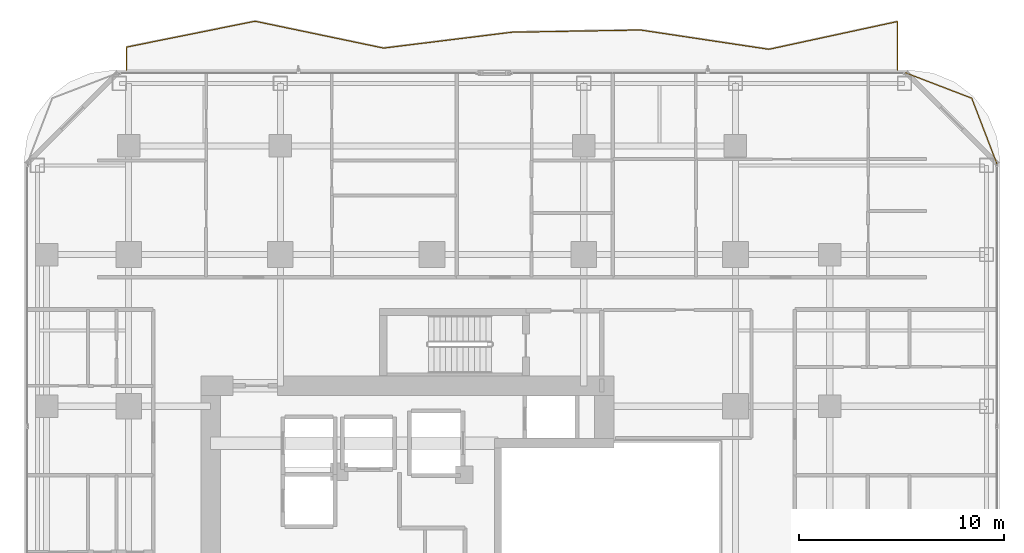
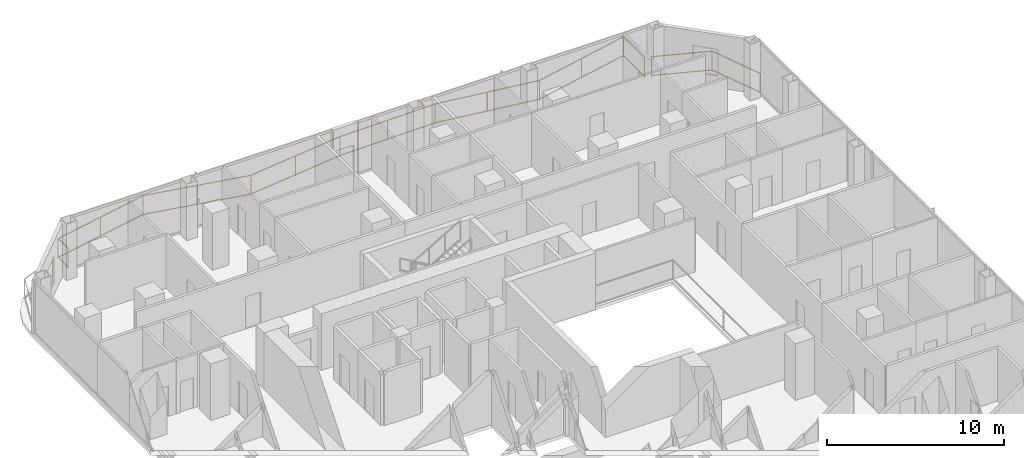
# One storey, part 28 of 29: 2 railings.
"""IFC4 building model written with IfcOpenShell, lengths in metres."""

import ifcopenshell
import ifcopenshell.guid

model = None  # the IFC model being written
_history = None  # IfcOwnerHistory: only IFC2X3 demands one
_inside = {}  # id of a spatial element -> (the spatial element, [elements in it])
_under = {}  # id of a project, library or spatial element -> (it, [spatial elements below it])
_declared = {}  # id of a project -> (the project, [libraries it declares])
_typed = {}  # id of a type object -> (the type object, [elements of that type])
_made_of = {}  # id of a material, layer set ... -> (it, [elements and type objects made of it])


def new_model(schema):
    """Start an empty IFC model of exactly this schema.

    Asked for "IFC4X3", IfcOpenShell would pick the latest addendum, in which some entities
    have other attributes; the version numbers below select the first issue.
    IFC2X3 requires an IfcOwnerHistory on every rooted entity: one is made here for all.
    """
    global model, _history
    if schema == "IFC4X3":
        model = ifcopenshell.file(schema_version=(4, 3, 0, 0))
    else:
        model = ifcopenshell.file(schema=schema)
    _inside.clear()
    _under.clear()
    _declared.clear()
    _typed.clear()
    _made_of.clear()
    _history = None
    if model.schema == "IFC2X3":
        org = make("IfcOrganization", Name="unknown")
        user = make(
            "IfcPersonAndOrganization",
            ThePerson=make("IfcPerson", FamilyName="unknown"),
            TheOrganization=org,
        )
        app = make(
            "IfcApplication",
            ApplicationDeveloper=org,
            Version="unknown",
            ApplicationFullName="unknown",
            ApplicationIdentifier="unknown",
        )
        _history = make(
            "IfcOwnerHistory",
            OwningUser=user,
            OwningApplication=app,
            ChangeAction="ADDED",
            CreationDate=0,
        )
    return model


def make(cls, **values):
    """One entity of the class cls with the attributes given. An attribute that is None is left unset."""
    return model.create_entity(
        cls, **{name: value for name, value in values.items() if value is not None}
    )


def rooted(cls, **values):
    """An entity with a GlobalId (a new one), such as an element, a storey or a relation."""
    return make(cls, GlobalId=ifcopenshell.guid.new(), OwnerHistory=_history, **values)


def si_unit(unit_type, name, prefix=None):
    """IfcSIUnit, for example si_unit("LENGTHUNIT", "METRE", prefix="MILLI")."""
    return make("IfcSIUnit", UnitType=unit_type, Prefix=prefix, Name=name)


def assignment(units):
    """IfcUnitAssignment: the units of a project."""
    return None if units is None else make("IfcUnitAssignment", Units=units)


def point(xyz):
    """IfcCartesianPoint."""
    return None if xyz is None else make("IfcCartesianPoint", Coordinates=xyz)


def direction(xyz):
    """IfcDirection."""
    return None if xyz is None else make("IfcDirection", DirectionRatios=xyz)


def frame(location, z_axis=None, x_axis=None):
    """IfcAxis2Placement3D, a coordinate frame: its origin and axes. An axis left out is left unset."""
    return make(
        "IfcAxis2Placement3D",
        Location=point(location),
        Axis=direction(z_axis),
        RefDirection=direction(x_axis),
    )


def frame_2d(location, x_axis=None):
    """IfcAxis2Placement2D, a coordinate frame in the plane: its origin and x axis."""
    return make(
        "IfcAxis2Placement2D", Location=point(location), RefDirection=direction(x_axis)
    )


def origin():
    """The frame at (0, 0, 0) with its axes left unset."""
    return frame((0.0, 0.0, 0.0))


def origin_2d():
    """The frame at (0, 0) in the plane with its x axis left unset."""
    return frame_2d((0.0, 0.0))


def place(relative_to, where):
    """IfcLocalPlacement: puts the frame where relative to a parent placement (None: the world)."""
    return make(
        "IfcLocalPlacement", PlacementRelTo=relative_to, RelativePlacement=where
    )


def context(
    kind, dimensions, precision=None, world=None, true_north=None, identifier=None
):
    """IfcGeometricRepresentationContext, for example the 3D "Model" context."""
    return make(
        "IfcGeometricRepresentationContext",
        ContextIdentifier=identifier,
        ContextType=kind,
        CoordinateSpaceDimension=dimensions,
        Precision=precision,
        WorldCoordinateSystem=world,
        TrueNorth=true_north,
    )


def subcontext(parent, identifier, kind, view, scale=None):
    """IfcGeometricRepresentationSubContext, for example "Body" below "Model"."""
    return make(
        "IfcGeometricRepresentationSubContext",
        ContextIdentifier=identifier,
        ContextType=kind,
        ParentContext=parent,
        TargetScale=scale,
        TargetView=view,
    )


def project(units=None, contexts=None):
    """IfcProject with its units and contexts."""
    return rooted(
        "IfcProject",
        Name="project",
        RepresentationContexts=contexts,
        UnitsInContext=assignment(units),
    )


def spatial(cls, under=None, at=None, **own):
    """A site, building, storey or space (cls), placed at a placement, below another one or the project."""
    s = rooted(cls, ObjectPlacement=at, **own)
    if under is not None:
        _under.setdefault(under.id(), (under, []))[1].append(s)
    return s


def profile(cls, at=None, kind="AREA", **sizes):
    """A parametric profile (cls). Its sizes go by their IFC names, for example OverallWidth=200.0."""
    return make(cls, ProfileType=kind, Position=at, **sizes)


def rectangle(**sizes):
    """IfcRectangleProfileDef."""
    return profile("IfcRectangleProfileDef", **sizes)


def extrude(swept, where, along, depth):
    """IfcExtrudedAreaSolid: the profile swept, set in the frame where, extruded along a direction by depth."""
    return make(
        "IfcExtrudedAreaSolid",
        SweptArea=swept,
        Position=where,
        ExtrudedDirection=direction(along),
        Depth=depth,
    )


def shape(context_of_items, identifier, shape_type, items):
    """IfcShapeRepresentation: the items that make up one representation, for example the "Body"."""
    return make(
        "IfcShapeRepresentation",
        ContextOfItems=context_of_items,
        RepresentationIdentifier=identifier,
        RepresentationType=shape_type,
        Items=items,
    )


def material(Name=None, Category=None):
    """IfcMaterial."""
    return make("IfcMaterial", Name=Name, Category=Category)


def made_of(thing, what):
    """Note that an element or type object is made of a material, layer set ...; save() writes the relation."""
    if what is not None:
        _made_of.setdefault(what.id(), (what, []))[1].append(thing)
    return thing


def type_object(cls, material=None, **own):
    """A type object (cls), such as IfcWallType, which elements share."""
    return made_of(rooted(cls, **own), material)


def element(
    cls,
    number,
    at=None,
    inside=None,
    cuts=None,
    type_object=None,
    material=None,
    context=None,
    identifier="Body",
    shape_type=None,
    held_by="IfcProductDefinitionShape",
    body=None,
    shapes=None,
    **own,
):
    """One element of the class cls, such as IfcWall. Its Tag is "e" and its number.

    at: its placement. inside: the storey or other place that contains it. cuts: it is an
    opening in that element (IfcRelVoidsElement). A single representation is given by context,
    identifier, shape_type and body (its items); several are given by shapes. held_by: the class
    of the entity that holds the representations. save() writes the other relations.
    """
    e = rooted(cls, Tag="e%d" % number, ObjectPlacement=at, **own)
    if body is not None:
        shapes = [shape(context, identifier, shape_type, body)]
    if shapes is not None:
        e.Representation = make(held_by, Representations=shapes)
    if inside is not None:
        _inside.setdefault(inside.id(), (inside, []))[1].append(e)
    if cuts is not None:
        rooted(
            "IfcRelVoidsElement", RelatingBuildingElement=cuts, RelatedOpeningElement=e
        )
    if type_object is not None:
        _typed.setdefault(type_object.id(), (type_object, []))[1].append(e)
    return made_of(e, material)


def aggregate(whole, parts):
    """IfcRelAggregates: a whole, such as a stair, and the parts it consists of."""
    return rooted("IfcRelAggregates", RelatingObject=whole, RelatedObjects=parts)


def save(model, path):
    """Write the relations noted so far, then the file.

    IfcRelAggregates (storeys below a building ...), IfcRelContainedInSpatialStructure (elements
    in a storey), IfcRelDefinesByType, IfcRelAssociatesMaterial and IfcRelDeclares: one each for
    every whole, place, type object, material and project.
    """
    for whole, parts in _under.values():
        aggregate(whole, parts)
    for where, things in _inside.values():
        rooted(
            "IfcRelContainedInSpatialStructure",
            RelatedElements=things,
            RelatingStructure=where,
        )
    for kind, things in _typed.values():
        rooted("IfcRelDefinesByType", RelatedObjects=things, RelatingType=kind)
    for what, things in _made_of.values():
        rooted("IfcRelAssociatesMaterial", RelatedObjects=things, RelatingMaterial=what)
    for by, libraries in _declared.values():
        rooted("IfcRelDeclares", RelatingContext=by, RelatedDefinitions=libraries)
    model.write(path)


model = new_model("IFC4")

# Units and contexts
model_context = context("Model", 3, precision=1e-05, world=origin(), true_north=direction((0.0, 1.0)))
body_context = subcontext(model_context, "Body", "Model", "MODEL_VIEW")
ifc_project = project(units=[si_unit("LENGTHUNIT", "METRE"), si_unit("AREAUNIT", "SQUARE_METRE"), si_unit("VOLUMEUNIT", "CUBIC_METRE"), si_unit("PLANEANGLEUNIT", "RADIAN"), si_unit("MASSUNIT", "GRAM", prefix="KILO")], contexts=[model_context])

# Site, building, storey
site_placement = place(None, origin())
site = spatial("IfcSite", under=ifc_project, at=site_placement, CompositionType="ELEMENT")
building_placement = place(site_placement, origin())
building = spatial("IfcBuilding", under=site, at=building_placement, Name="Khorvyn Point Tower", CompositionType="ELEMENT")
storey_placement = place(building_placement, frame((0.0, 0.0, 144.60009765625)))
storey = spatial("IfcBuildingStorey", under=building, at=storey_placement, Name="L36", CompositionType="ELEMENT", Elevation=144.60009765625)

# Railings
ifc_material = material(Name="Anodised aluminium 6063-T6 and laminated safety glass", Category="aluminium")
railing_type = type_object("IfcRailingType", Name="Laminated Glass and Aluminium Balcony Guardrail 1400", PredefinedType="BALUSTRADE", material=ifc_material)
railing_1_placement = place(storey_placement, frame((27.57421875, 19.176025390625, 0.0)))
element("IfcRailing", 1, at=railing_1_placement, inside=storey, type_object=railing_type, Name="L36 Rounded Corner Edge Guardrail NE", PredefinedType="BALUSTRADE", context=body_context, shape_type="SweptSolid", body=[
    extrude(rectangle(XDim=0.048095703125, YDim=0.048095703125, at=origin_2d()), frame((0.0, 0.0, 1.3759765625), z_axis=(-0.358382264808, 0.933574931257, 0.0), x_axis=(-0.933574931257, -0.358382264808, 0.0)), (0.0, 0.0, 1.0), 3.481689453125),
    extrude(rectangle(XDim=0.048095703125, YDim=0.048095703125, at=origin_2d()), frame((0.0, 0.0, 0.080078125), z_axis=(-0.358382264808, 0.933574931257, 0.0), x_axis=(-0.933574931257, -0.358382264808, 0.0)), (0.0, 0.0, 1.0), 3.481689453125),
    extrude(rectangle(XDim=0.048095703125, YDim=0.048095703125, at=origin_2d()), frame((-1.247802734375, 3.25048828125, 1.3759765625), z_axis=(-0.933598390295, 0.358321148746, 0.0), x_axis=(-0.358321148746, -0.933598390295, 0.0)), (0.0, 0.0, 1.0), 3.481689453125),
    extrude(rectangle(XDim=0.048095703125, YDim=0.048095703125, at=origin_2d()), frame((-1.247802734375, 3.25048828125, 0.080078125), z_axis=(-0.933598390295, 0.358321148746, 0.0), x_axis=(-0.358321148746, -0.933598390295, 0.0)), (0.0, 0.0, 1.0), 3.481689453125),
    extrude(rectangle(XDim=0.0419921875, YDim=0.0419921875, at=origin_2d()), origin(), (0.0, 0.0, 1.0), 1.351806640625),
    extrude(rectangle(XDim=0.0419921875, YDim=0.0419921875, at=origin_2d()), frame((-1.247802734375, 3.25048828125, 0.0)), (0.0, 0.0, 1.0), 1.351806640625),
    extrude(rectangle(XDim=0.0419921875, YDim=0.0419921875, at=origin_2d()), frame((-4.498291015625, 4.498046875, 0.0)), (0.0, 0.0, 1.0), 1.351806640625),
])
railing_2_placement = place(storey_placement, frame((22.699951171875, 23.800048828125, 0.0)))
element("IfcRailing", 2, at=railing_2_placement, inside=storey, type_object=railing_type, Name="L36 North Balcony Guardrail", PredefinedType="BALUSTRADE", context=body_context, shape_type="SweptSolid", body=[
    extrude(rectangle(XDim=0.048095703125, YDim=0.048095703125, at=origin_2d()), frame((0.0, 0.0, 1.3759765625), z_axis=(0.0, 1.0, 0.0), x_axis=(-1.0, 0.0, 0.0)), (0.0, 0.0, 1.0), 2.36669921875),
    extrude(rectangle(XDim=0.048095703125, YDim=0.048095703125, at=origin_2d()), frame((0.0, 0.0, 0.080078125), z_axis=(0.0, 1.0, 0.0), x_axis=(-1.0, 0.0, 0.0)), (0.0, 0.0, 1.0), 2.36669921875),
    extrude(rectangle(XDim=0.048095703125, YDim=0.048095703125, at=origin_2d()), frame((0.0, 2.36669921875, 1.3759765625), z_axis=(-0.977405023503, -0.21137506956, 0.0), x_axis=(0.21137506956, -0.977405023503, 0.0)), (0.0, 0.0, 1.0), 6.411376953125),
    extrude(rectangle(XDim=0.048095703125, YDim=0.048095703125, at=origin_2d()), frame((0.0, 2.36669921875, 0.080078125), z_axis=(-0.977405023503, -0.21137506956, 0.0), x_axis=(0.21137506956, -0.977405023503, 0.0)), (0.0, 0.0, 1.0), 6.411376953125),
    extrude(rectangle(XDim=0.048095703125, YDim=0.048095703125, at=origin_2d()), frame((-6.2666015625, 1.011474609375, 1.3759765625), z_axis=(-0.988914865266, 0.148483632957, 0.0), x_axis=(-0.148483632957, -0.988914865266, 0.0)), (0.0, 0.0, 1.0), 6.3369140625),
    extrude(rectangle(XDim=0.048095703125, YDim=0.048095703125, at=origin_2d()), frame((-6.2666015625, 1.011474609375, 0.080078125), z_axis=(-0.988914865266, 0.148483632957, 0.0), x_axis=(-0.148483632957, -0.988914865266, 0.0)), (0.0, 0.0, 1.0), 6.3369140625),
    extrude(rectangle(XDim=0.048095703125, YDim=0.048095703125, at=origin_2d()), frame((-12.533203125, 1.952392578125, 1.3759765625), z_axis=(-0.999853120304, -0.017138781134, 0.0), x_axis=(0.017138781134, -0.999853120304, 0.0)), (0.0, 0.0, 1.0), 6.267822265625),
    extrude(rectangle(XDim=0.048095703125, YDim=0.048095703125, at=origin_2d()), frame((-12.533203125, 1.952392578125, 0.080078125), z_axis=(-0.999853120304, -0.017138781134, 0.0), x_axis=(0.017138781134, -0.999853120304, 0.0)), (0.0, 0.0, 1.0), 6.267822265625),
    extrude(rectangle(XDim=0.048095703125, YDim=0.048095703125, at=origin_2d()), frame((-18.800048828125, 1.844970703125, 1.3759765625), z_axis=(-0.992460008068, -0.122568888327, 0.0), x_axis=(0.122568888327, -0.992460008068, 0.0)), (0.0, 0.0, 1.0), 6.314208984375),
    extrude(rectangle(XDim=0.048095703125, YDim=0.048095703125, at=origin_2d()), frame((-18.800048828125, 1.844970703125, 0.080078125), z_axis=(-0.992460008068, -0.122568888327, 0.0), x_axis=(0.122568888327, -0.992460008068, 0.0)), (0.0, 0.0, 1.0), 6.314208984375),
    extrude(rectangle(XDim=0.048095703125, YDim=0.048095703125, at=origin_2d()), frame((-25.066650390625, 1.071044921875, 1.3759765625), z_axis=(-0.978831683943, 0.204666886696, 0.0), x_axis=(-0.204666886696, -0.978831683943, 0.0)), (0.0, 0.0, 1.0), 6.402099609375),
    extrude(rectangle(XDim=0.048095703125, YDim=0.048095703125, at=origin_2d()), frame((-25.066650390625, 1.071044921875, 0.080078125), z_axis=(-0.978831683943, 0.204666886696, 0.0), x_axis=(-0.204666886696, -0.978831683943, 0.0)), (0.0, 0.0, 1.0), 6.402099609375),
    extrude(rectangle(XDim=0.048095703125, YDim=0.048095703125, at=origin_2d()), frame((-31.333251953125, 2.38134765625, 1.3759765625), z_axis=(-0.980297632722, -0.197526077468, 0.0), x_axis=(0.197526077468, -0.980297632722, 0.0)), (0.0, 0.0, 1.0), 6.392578125),
    extrude(rectangle(XDim=0.048095703125, YDim=0.048095703125, at=origin_2d()), frame((-31.333251953125, 2.38134765625, 0.080078125), z_axis=(-0.980297632722, -0.197526077468, 0.0), x_axis=(0.197526077468, -0.980297632722, 0.0)), (0.0, 0.0, 1.0), 6.392578125),
    extrude(rectangle(XDim=0.048095703125, YDim=0.048095703125, at=origin_2d()), frame((-37.599853515625, 1.11865234375, 1.3759765625), z_axis=(0.0, -1.0, 0.0), x_axis=(1.0, 0.0, 0.0)), (0.0, 0.0, 1.0), 1.11865234375),
    extrude(rectangle(XDim=0.048095703125, YDim=0.048095703125, at=origin_2d()), frame((-37.599853515625, 1.11865234375, 0.080078125), z_axis=(0.0, -1.0, 0.0), x_axis=(1.0, 0.0, 0.0)), (0.0, 0.0, 1.0), 1.11865234375),
    extrude(rectangle(XDim=0.0419921875, YDim=0.0419921875, at=origin_2d()), origin(), (0.0, 0.0, 1.0), 1.351806640625),
    extrude(rectangle(XDim=0.0419921875, YDim=0.0419921875, at=origin_2d()), frame((0.0, 2.36669921875, 0.0)), (0.0, 0.0, 1.0), 1.351806640625),
    extrude(rectangle(XDim=0.0419921875, YDim=0.0419921875, at=origin_2d()), frame((-3.13330078125, 1.68896484375, 0.0)), (0.0, 0.0, 1.0), 1.351806640625),
    extrude(rectangle(XDim=0.0419921875, YDim=0.0419921875, at=origin_2d()), frame((-6.2666015625, 1.011474609375, 0.0)), (0.0, 0.0, 1.0), 1.351806640625),
    extrude(rectangle(XDim=0.0419921875, YDim=0.0419921875, at=origin_2d()), frame((-9.39990234375, 1.48193359375, 0.0)), (0.0, 0.0, 1.0), 1.351806640625),
    extrude(rectangle(XDim=0.0419921875, YDim=0.0419921875, at=origin_2d()), frame((-12.533203125, 1.952392578125, 0.0)), (0.0, 0.0, 1.0), 1.351806640625),
    extrude(rectangle(XDim=0.0419921875, YDim=0.0419921875, at=origin_2d()), frame((-15.66650390625, 1.898681640625, 0.0)), (0.0, 0.0, 1.0), 1.351806640625),
    extrude(rectangle(XDim=0.0419921875, YDim=0.0419921875, at=origin_2d()), frame((-18.800048828125, 1.844970703125, 0.0)), (0.0, 0.0, 1.0), 1.351806640625),
    extrude(rectangle(XDim=0.0419921875, YDim=0.0419921875, at=origin_2d()), frame((-21.933349609375, 1.4580078125, 0.0)), (0.0, 0.0, 1.0), 1.351806640625),
    extrude(rectangle(XDim=0.0419921875, YDim=0.0419921875, at=origin_2d()), frame((-25.066650390625, 1.071044921875, 0.0)), (0.0, 0.0, 1.0), 1.351806640625),
    extrude(rectangle(XDim=0.0419921875, YDim=0.0419921875, at=origin_2d()), frame((-28.199951171875, 1.72607421875, 0.0)), (0.0, 0.0, 1.0), 1.351806640625),
    extrude(rectangle(XDim=0.0419921875, YDim=0.0419921875, at=origin_2d()), frame((-31.333251953125, 2.38134765625, 0.0)), (0.0, 0.0, 1.0), 1.351806640625),
    extrude(rectangle(XDim=0.0419921875, YDim=0.0419921875, at=origin_2d()), frame((-34.466552734375, 1.75, 0.0)), (0.0, 0.0, 1.0), 1.351806640625),
    extrude(rectangle(XDim=0.0419921875, YDim=0.0419921875, at=origin_2d()), frame((-37.599853515625, 1.11865234375, 0.0)), (0.0, 0.0, 1.0), 1.351806640625),
    extrude(rectangle(XDim=0.0419921875, YDim=0.0419921875, at=origin_2d()), frame((-37.599853515625, 0.0, 0.0)), (0.0, 0.0, 1.0), 1.351806640625),
])

save(model, "model.ifc")
